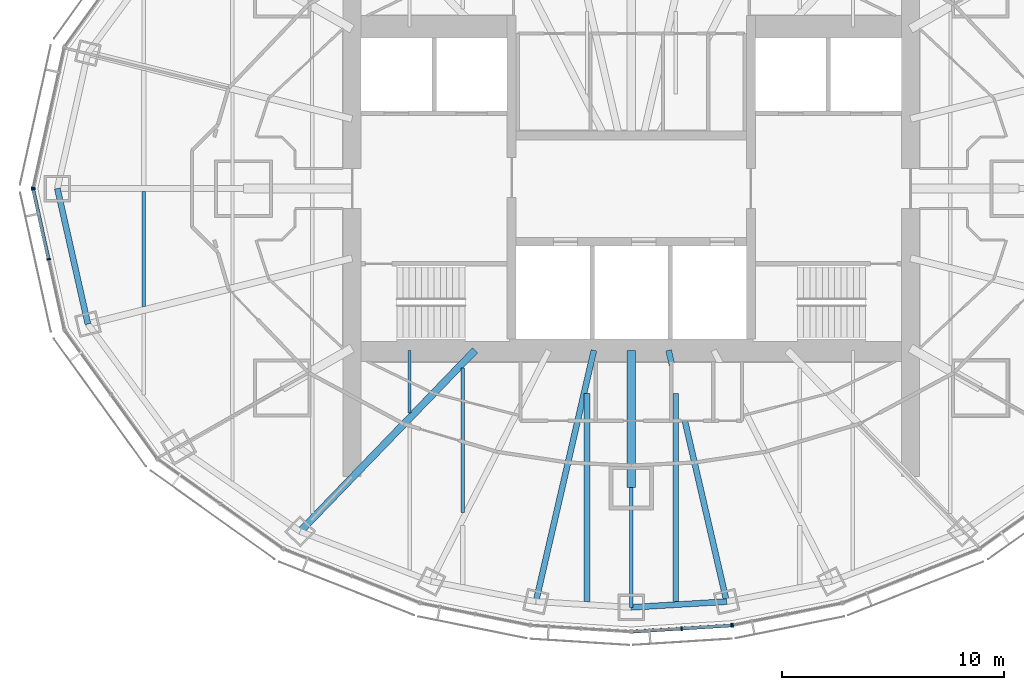
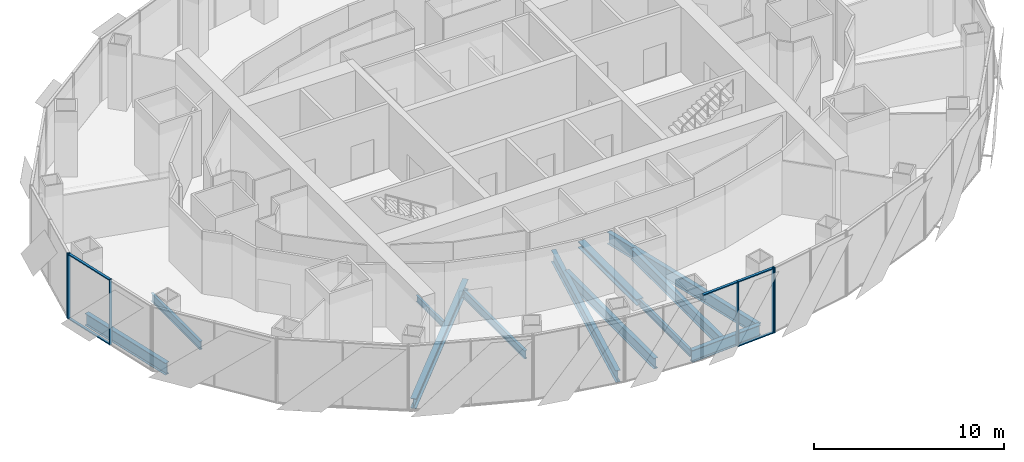
# One storey, part 3 of 17: 12 beams, 11 members, 4 elements without a shape of their own.
"""IFC4 building model written with IfcOpenShell, lengths in metres."""

from ifc_helpers import new_model, si_unit, direction, frame, origin, origin_2d, place, context, subcontext, project, spatial, rectangle, i_section, extrude, material, material_profile, profile_set, type_object, element, aggregate, save


model = new_model("IFC4")

# Units and contexts
model_context = context("Model", 3, precision=1e-05, world=origin(), true_north=direction((0.0, 1.0)))
body_context = subcontext(model_context, "Body", "Model", "MODEL_VIEW")
ifc_project = project(units=[si_unit("LENGTHUNIT", "METRE"), si_unit("AREAUNIT", "SQUARE_METRE"), si_unit("VOLUMEUNIT", "CUBIC_METRE"), si_unit("PLANEANGLEUNIT", "RADIAN"), si_unit("MASSUNIT", "GRAM", prefix="KILO")], contexts=[model_context])

# Site, building, storey
site_placement = place(None, origin())
site = spatial("IfcSite", under=ifc_project, at=site_placement, CompositionType="ELEMENT")
building_placement = place(site_placement, origin())
building = spatial("IfcBuilding", under=site, at=building_placement, Name="Lantaw Convention Tower", CompositionType="ELEMENT")
storey_placement = place(building_placement, frame((0.0, 0.0, 207.39990234375)))
storey = spatial("IfcBuildingStorey", under=building, at=storey_placement, Name="L48", CompositionType="ELEMENT", Elevation=207.39990234375)

# Beams
ifc_material_1 = material(Name="Steel ASTM A992", Category="steel")
ifc_material_profile_1 = material_profile(ifc_material_1, i_section(OverallWidth=0.2666015625, OverallDepth=0.76953125, WebThickness=0.015625, FlangeThickness=0.025390625, FilletRadius=0.0126953125, at=origin_2d()), Name="W30X132")
ifc_profile_set_1 = profile_set([ifc_material_profile_1], Name="Steel ASTM A992")
beam_type_1 = type_object("IfcBeamType", Name="Beam E W30X132", PredefinedType="SPANDREL", material=ifc_profile_set_1)
beam_1_placement = place(storey_placement, frame((-25.89990234375, 0.0, -0.53466796875), z_axis=(0.219857926596, -0.97553190215, 0.0), x_axis=(0.97553190215, 0.219857926596, 0.0)))
element("IfcBeam", 1, at=beam_1_placement, inside=storey, type_object=beam_type_1, Name="Edge beam 13", PredefinedType="SPANDREL", context=body_context, shape_type="SweptSolid", body=[
    extrude(i_section(OverallWidth=0.2666015625, OverallDepth=0.76953125, WebThickness=0.015625, FlangeThickness=0.025390625, FilletRadius=0.0126953125, at=origin_2d()), origin(), (0.0, 0.0, 1.0), 6.267333984375),
])
beam_2_placement = place(storey_placement, frame((0.0, -18.89990234375, -0.53466796875), z_axis=(0.998210730897, 0.059794119452, 0.0), x_axis=(-0.059794119452, 0.998210730897, 0.0)))
element("IfcBeam", 2, at=beam_2_placement, inside=storey, type_object=beam_type_1, Name="Edge beam 19", PredefinedType="SPANDREL", context=body_context, shape_type="SweptSolid", body=[
    extrude(i_section(OverallWidth=0.2666015625, OverallDepth=0.76953125, WebThickness=0.015625, FlangeThickness=0.025390625, FilletRadius=0.0126953125, at=origin_2d()), origin(), (0.0, 0.0, 1.0), 4.311767578125),
])
ifc_material_profile_2 = material_profile(ifc_material_1, i_section(OverallWidth=0.15234375, OverallDepth=0.449462890625, WebThickness=0.007568359375, FlangeThickness=0.0107421875, FilletRadius=0.01025390625, at=origin_2d()), Name="W18X35")
ifc_profile_set_2 = profile_set([ifc_material_profile_2], Name="Steel ASTM A992")
beam_type_2 = type_object("IfcBeamType", Name="Beam G W18X35", PredefinedType="BEAM", material=ifc_profile_set_2)
beam_3_placement = place(storey_placement, frame((0.0, -13.5, -0.374755859375), z_axis=(0.0, -1.0, 0.0), x_axis=(1.0, 0.0, 0.0)))
element("IfcBeam", 3, at=beam_3_placement, inside=storey, type_object=beam_type_2, Name="Floor girder on ray 19", PredefinedType="BEAM", context=body_context, shape_type="SweptSolid", body=[
    extrude(i_section(OverallWidth=0.15234375, OverallDepth=0.449462890625, WebThickness=0.007568359375, FlangeThickness=0.0107421875, FilletRadius=0.01025390625, at=origin_2d()), origin(), (0.0, 0.0, 1.0), 5.39990234375),
])
ifc_material_profile_3 = material_profile(ifc_material_1, i_section(OverallWidth=0.32763671875, OverallDepth=0.64013671875, WebThickness=0.01904296875, FlangeThickness=0.033935546875, FilletRadius=0.0126953125, at=origin_2d()), Name="W24X176")
ifc_profile_set_3 = profile_set([ifc_material_profile_3], Name="Steel ASTM A992")
beam_type_3 = type_object("IfcBeamType", Name="Beam G W24X176", PredefinedType="BEAM", material=ifc_profile_set_3)
beam_4_placement = place(storey_placement, frame((-7.049560546875, -7.300048828125, -0.469970703125), z_axis=(-0.694657766726, -0.719340383356, 0.0), x_axis=(0.719340383356, -0.694657766726, 0.0)))
element("IfcBeam", 4, at=beam_4_placement, inside=storey, type_object=beam_type_3, Name="Floor girder on ray 16", PredefinedType="BEAM", context=body_context, shape_type="SweptSolid", body=[
    extrude(i_section(OverallWidth=0.32763671875, OverallDepth=0.64013671875, WebThickness=0.01904296875, FlangeThickness=0.033935546875, FilletRadius=0.0126953125, at=origin_2d()), origin(), (0.0, 0.0, 1.0), 11.364990234375),
])
ifc_material_profile_4 = material_profile(ifc_material_1, i_section(OverallWidth=0.2666015625, OverallDepth=0.7568359375, WebThickness=0.013916015625, FlangeThickness=0.019287109375, FilletRadius=0.0126953125, at=origin_2d()), Name="W30X108")
ifc_profile_set_4 = profile_set([ifc_material_profile_4], Name="Steel ASTM A992")
beam_type_4 = type_object("IfcBeamType", Name="Beam G W30X108", PredefinedType="BEAM", material=ifc_profile_set_4)
for number, where, z_axis, x_axis, name in (
    (5, (-1.685302734375, -7.300048828125, -0.5283203125), (-0.224962134377, -0.974367506692, 0.0), (0.974367506692, -0.224962134377, 0.0), "Floor girder on ray 18"),
    (6, (1.685302734375, -7.300048828125, -0.5283203125), (0.224962134377, -0.974367506692, 0.0), (0.974367506692, 0.224962134377, 0.0), "Floor girder on ray 20"),
):
    element("IfcBeam", number, at=place(storey_placement, frame(where, z_axis=z_axis, x_axis=x_axis)), inside=storey, type_object=beam_type_4, Name=name, PredefinedType="BEAM", context=body_context, shape_type="SweptSolid", body=[
        extrude(i_section(OverallWidth=0.2666015625, OverallDepth=0.7568359375, WebThickness=0.013916015625, FlangeThickness=0.019287109375, FilletRadius=0.0126953125, at=origin_2d()), origin(), (0.0, 0.0, 1.0), 11.640380859375),
    ])
ifc_material_profile_5 = material_profile(ifc_material_1, i_section(OverallWidth=0.40380859375, OverallDepth=0.406494140625, WebThickness=0.027099609375, FlangeThickness=0.043701171875, FilletRadius=0.01513671875, at=origin_2d()), Name="W14X233")
ifc_profile_set_5 = profile_set([ifc_material_profile_5], Name="Steel ASTM A992")
beam_type_5 = type_object("IfcBeamType", Name="Beam GM W14X233", PredefinedType="BEAM", material=ifc_profile_set_5)
beam_5_placement = place(storey_placement, frame((0.0, -7.300048828125, -0.35302734375), z_axis=(0.0, -1.0, 0.0), x_axis=(1.0, 0.0, 0.0)))
element("IfcBeam", 7, at=beam_5_placement, inside=storey, type_object=beam_type_5, Name="Core link beam on ray 19", PredefinedType="BEAM", context=body_context, shape_type="SweptSolid", body=[
    extrude(i_section(OverallWidth=0.40380859375, OverallDepth=0.406494140625, WebThickness=0.027099609375, FlangeThickness=0.043701171875, FilletRadius=0.01513671875, at=origin_2d()), origin(), (0.0, 0.0, 1.0), 6.199951171875),
])
ifc_material_profile_6 = material_profile(ifc_material_1, i_section(OverallWidth=0.140380859375, OverallDepth=0.40380859375, WebThickness=0.007080078125, FlangeThickness=0.01123046875, FilletRadius=0.01025390625, at=origin_2d()), Name="W16X31")
ifc_profile_set_6 = profile_set([ifc_material_profile_6], Name="Steel ASTM A992")
beam_type_6 = type_object("IfcBeamType", Name="Beam J W16X31", PredefinedType="JOIST", material=ifc_profile_set_6)
beam_6_placement = place(storey_placement, frame((-10.0, -10.119384765625, -0.351806640625), z_axis=(0.0, 1.0, 0.0), x_axis=(-1.0, 0.0, 0.0)))
element("IfcBeam", 8, at=beam_6_placement, inside=storey, type_object=beam_type_6, Name="Floor joist", PredefinedType="JOIST", context=body_context, shape_type="SweptSolid", body=[
    extrude(i_section(OverallWidth=0.140380859375, OverallDepth=0.40380859375, WebThickness=0.007080078125, FlangeThickness=0.01123046875, FilletRadius=0.01025390625, at=origin_2d()), origin(), (0.0, 0.0, 1.0), 2.8193359375),
])
ifc_material_profile_7 = material_profile(ifc_material_1, i_section(OverallWidth=0.1650390625, OverallDepth=0.52587890625, WebThickness=0.0087890625, FlangeThickness=0.011474609375, FilletRadius=0.0126953125, at=origin_2d()), Name="W21X44")
ifc_profile_set_7 = profile_set([ifc_material_profile_7], Name="Steel ASTM A992")
beam_type_7 = type_object("IfcBeamType", Name="Beam J W21X44", PredefinedType="JOIST", material=ifc_profile_set_7)
beam_7_placement = place(storey_placement, frame((-22.0, -5.326904296875, -0.412841796875), z_axis=(0.0, 1.0, 0.0), x_axis=(-1.0, 0.0, 0.0)))
element("IfcBeam", 9, at=beam_7_placement, inside=storey, type_object=beam_type_7, Name="Floor joist", PredefinedType="JOIST", context=body_context, shape_type="SweptSolid", body=[
    extrude(i_section(OverallWidth=0.1650390625, OverallDepth=0.52587890625, WebThickness=0.0087890625, FlangeThickness=0.011474609375, FilletRadius=0.0126953125, at=origin_2d()), origin(), (0.0, 0.0, 1.0), 5.199951171875),
])
beam_8_placement = place(storey_placement, frame((-7.60009765625, -14.6220703125, -0.412841796875), z_axis=(0.0, 1.0, 0.0), x_axis=(-1.0, 0.0, 0.0)))
element("IfcBeam", 10, at=beam_8_placement, inside=storey, type_object=beam_type_7, Name="Floor joist", PredefinedType="JOIST", context=body_context, shape_type="SweptSolid", body=[
    extrude(i_section(OverallWidth=0.1650390625, OverallDepth=0.52587890625, WebThickness=0.0087890625, FlangeThickness=0.011474609375, FilletRadius=0.0126953125, at=origin_2d()), origin(), (0.0, 0.0, 1.0), 6.51611328125),
])
ifc_material_profile_8 = material_profile(ifc_material_1, i_section(OverallWidth=0.25390625, OverallDepth=0.683349609375, WebThickness=0.012451171875, FlangeThickness=0.01904296875, FilletRadius=0.01513671875, at=origin_2d()), Name="W27X94")
ifc_profile_set_8 = profile_set([ifc_material_profile_8], Name="Steel ASTM A992")
beam_type_8 = type_object("IfcBeamType", Name="Beam J W27X94", PredefinedType="JOIST", material=ifc_profile_set_8)
for number, where, z_axis, x_axis, name in (
    (11, (-2.0, -18.646484375, -0.491455078125), (0.0, 1.0, 0.0), (-1.0, 0.0, 0.0), "Floor joist"),
    (12, (2.0, -18.646484375, -0.491455078125), (0.0, 1.0, 0.0), (-1.0, 0.0, 0.0), "Floor joist"),
):
    element("IfcBeam", number, at=place(storey_placement, frame(where, z_axis=z_axis, x_axis=x_axis)), inside=storey, type_object=beam_type_8, Name=name, PredefinedType="JOIST", context=body_context, shape_type="SweptSolid", body=[
        extrude(i_section(OverallWidth=0.25390625, OverallDepth=0.683349609375, WebThickness=0.012451171875, FlangeThickness=0.01904296875, FilletRadius=0.01513671875, at=origin_2d()), origin(), (0.0, 0.0, 1.0), 9.390625),
    ])

# Curtain wall, member
ifc_material_2 = material(Name="Aluminium framed curtain wall", Category="aluminium")
curtain_wall_type = type_object("IfcCurtainWallType", Name="Office curtain wall high rise, pale aluminium", PredefinedType="USERDEFINED", material=ifc_material_2)
curtain_wall_1_placement = place(storey_placement, origin())
curtain_wall_1 = element("IfcCurtainWall", 13, at=curtain_wall_1_placement, inside=storey, type_object=curtain_wall_type, Name="Office curtain wall high rise, pale aluminium L48", ObjectType="UNITISED CURTAIN WALL", PredefinedType="USERDEFINED")
ifc_material_3 = material(Name="Aluminium 6063-T6", Category="aluminium")
ifc_material_profile_9 = material_profile(ifc_material_3, rectangle(XDim=0.179931640625, YDim=0.06494140625, at=origin_2d()), Name="CW-O2 mullion 65x180")
ifc_profile_set_9 = profile_set([ifc_material_profile_9], Name="Aluminium 6063-T6")
member_type_1 = type_object("IfcMemberType", Name="CW-O2 mullion 65x180", PredefinedType="MULLION", material=ifc_profile_set_9)
member_1_placement = place(storey_placement, frame((-26.992919921875, 0.03173828125, -0.14990234375), z_axis=(0.0, 0.0, 1.0), x_axis=(0.976417396437, -0.215891333626, 0.0)))
member_1 = element("IfcMember", 14, at=member_1_placement, type_object=member_type_1, Name="CW-O2 mullion 3", PredefinedType="MULLION", context=body_context, shape_type="SweptSolid", body=[
    extrude(rectangle(XDim=0.179931640625, YDim=0.06494140625, at=origin_2d()), origin(), (0.0, 0.0, 1.0), 4.199951171875),
])
aggregate(curtain_wall_1, [member_1])

# Curtain wall, members
curtain_wall_2_placement = place(storey_placement, origin())
curtain_wall_2 = element("IfcCurtainWall", 15, at=curtain_wall_2_placement, inside=storey, type_object=curtain_wall_type, Name="Office curtain wall high rise, pale aluminium L48", ObjectType="UNITISED CURTAIN WALL", PredefinedType="USERDEFINED")
member_2_placement = place(storey_placement, frame((-26.992919921875, -0.03173828125, -0.14990234375), z_axis=(0.0, 0.0, 1.0), x_axis=(0.976417396437, 0.215891333626, 0.0)))
member_2 = element("IfcMember", 16, at=member_2_placement, type_object=member_type_1, Name="CW-O2 mullion 1", PredefinedType="MULLION", context=body_context, shape_type="SweptSolid", body=[
    extrude(rectangle(XDim=0.179931640625, YDim=0.06494140625, at=origin_2d()), origin(), (0.0, 0.0, 1.0), 4.199951171875),
])
member_3_placement = place(storey_placement, frame((-26.294677734375, -3.190185546875, -0.14990234375), z_axis=(0.0, 0.0, 1.0), x_axis=(0.976417396437, 0.215891333626, 0.0)))
member_3 = element("IfcMember", 17, at=member_3_placement, type_object=member_type_1, Name="CW-O2 mullion 2", PredefinedType="MULLION", context=body_context, shape_type="SweptSolid", body=[
    extrude(rectangle(XDim=0.179931640625, YDim=0.06494140625, at=origin_2d()), origin(), (0.0, 0.0, 1.0), 4.199951171875),
])

curtain_wall_3_placement = place(storey_placement, origin())
curtain_wall_3 = element("IfcCurtainWall", 18, at=curtain_wall_3_placement, inside=storey, type_object=curtain_wall_type, Name="Office curtain wall high rise, pale aluminium L48", ObjectType="UNITISED CURTAIN WALL", PredefinedType="USERDEFINED")
member_4_placement = place(storey_placement, frame((2.275634765625, -19.85693359375, -0.14990234375), z_axis=(0.0, 0.0, 1.0), x_axis=(-0.062757983884, 0.998028774865, 0.0)))
member_4 = element("IfcMember", 19, at=member_4_placement, type_object=member_type_1, Name="CW-O2 mullion 2", PredefinedType="MULLION", context=body_context, shape_type="SweptSolid", body=[
    extrude(rectangle(XDim=0.179931640625, YDim=0.06494140625, at=origin_2d()), origin(), (0.0, 0.0, 1.0), 4.199951171875),
])
member_5_placement = place(storey_placement, frame((4.518798828125, -19.7158203125, -0.14990234375), z_axis=(0.0, 0.0, 1.0), x_axis=(-0.062757983884, 0.998028774865, 0.0)))
member_5 = element("IfcMember", 20, at=member_5_placement, type_object=member_type_1, Name="CW-O2 mullion 3", PredefinedType="MULLION", context=body_context, shape_type="SweptSolid", body=[
    extrude(rectangle(XDim=0.179931640625, YDim=0.06494140625, at=origin_2d()), origin(), (0.0, 0.0, 1.0), 4.199951171875),
])

# Curtain wall, member
curtain_wall_4_placement = place(storey_placement, origin())
curtain_wall_4 = element("IfcCurtainWall", 21, at=curtain_wall_4_placement, inside=storey, type_object=curtain_wall_type, Name="Office curtain wall high rise, pale aluminium L48", ObjectType="UNITISED CURTAIN WALL", PredefinedType="USERDEFINED")
member_6_placement = place(storey_placement, frame((4.583251953125, -19.70751953125, -0.14990234375), z_axis=(0.0, 0.0, 1.0), x_axis=(-0.197183095987, 0.980366679695, 0.0)))
member_6 = element("IfcMember", 22, at=member_6_placement, type_object=member_type_1, Name="CW-O2 mullion 1", PredefinedType="MULLION", context=body_context, shape_type="SweptSolid", body=[
    extrude(rectangle(XDim=0.179931640625, YDim=0.06494140625, at=origin_2d()), origin(), (0.0, 0.0, 1.0), 4.199951171875),
])
aggregate(curtain_wall_4, [member_6])

# Member
ifc_material_profile_10 = material_profile(ifc_material_3, rectangle(XDim=0.14990234375, YDim=0.06494140625, at=origin_2d()), Name="CW-O2 transom 65x150")
ifc_profile_set_10 = profile_set([ifc_material_profile_10], Name="Aluminium 6063-T6")
member_type_2 = type_object("IfcMemberType", Name="CW-O2 transom 65x150", PredefinedType="USERDEFINED", material=ifc_profile_set_10)
member_7_placement = place(storey_placement, frame((-26.986083984375, -0.0634765625, -0.117431640625), z_axis=(0.215894607042, -0.976416672661, 0.0), x_axis=(0.976416672661, 0.215894607042, 0.0)))
member_7 = element("IfcMember", 23, at=member_7_placement, type_object=member_type_2, Name="CW-O2 transom 1.1", ObjectType="TRANSOM", PredefinedType="USERDEFINED", context=body_context, shape_type="SweptSolid", body=[
    extrude(rectangle(XDim=0.14990234375, YDim=0.06494140625, at=origin_2d()), origin(), (0.0, 0.0, 1.0), 3.169677734375),
])

member_8_placement = place(storey_placement, frame((-26.986083984375, -0.0634765625, 4.017578125), z_axis=(0.215894607042, -0.976416672661, 0.0), x_axis=(0.976416672661, 0.215894607042, 0.0)))
member_8 = element("IfcMember", 24, at=member_8_placement, type_object=member_type_2, Name="CW-O2 transom 1.2", ObjectType="TRANSOM", PredefinedType="USERDEFINED", context=body_context, shape_type="SweptSolid", body=[
    extrude(rectangle(XDim=0.14990234375, YDim=0.06494140625, at=origin_2d()), origin(), (0.0, 0.0, 1.0), 3.169677734375),
])

aggregate(curtain_wall_2, [member_2, member_3, member_7, member_8])

member_9_placement = place(storey_placement, frame((0.06494140625, -19.995849609375, 4.017578125), z_axis=(0.998029003644, 0.062754345555, 0.0), x_axis=(-0.062754345555, 0.998029003644, 0.0)))
member_9 = element("IfcMember", 25, at=member_9_placement, type_object=member_type_2, Name="CW-O2 transom 1.2", ObjectType="TRANSOM", PredefinedType="USERDEFINED", context=body_context, shape_type="SweptSolid", body=[
    extrude(rectangle(XDim=0.14990234375, YDim=0.06494140625, at=origin_2d()), origin(), (0.0, 0.0, 1.0), 2.1826171875),
])

member_10_placement = place(storey_placement, frame((2.30810546875, -19.85498046875, -0.117431640625), z_axis=(0.998021991509, 0.062865765437, 0.0), x_axis=(-0.062865765437, 0.998021991509, 0.0)))
member_10 = element("IfcMember", 26, at=member_10_placement, type_object=member_type_2, Name="CW-O2 transom 2.1", ObjectType="TRANSOM", PredefinedType="USERDEFINED", context=body_context, shape_type="SweptSolid", body=[
    extrude(rectangle(XDim=0.14990234375, YDim=0.06494140625, at=origin_2d()), origin(), (0.0, 0.0, 1.0), 2.1826171875),
])

member_11_placement = place(storey_placement, frame((2.30810546875, -19.85498046875, 4.017578125), z_axis=(0.998021991509, 0.062865765437, 0.0), x_axis=(-0.062865765437, 0.998021991509, 0.0)))
member_11 = element("IfcMember", 27, at=member_11_placement, type_object=member_type_2, Name="CW-O2 transom 2.2", ObjectType="TRANSOM", PredefinedType="USERDEFINED", context=body_context, shape_type="SweptSolid", body=[
    extrude(rectangle(XDim=0.14990234375, YDim=0.06494140625, at=origin_2d()), origin(), (0.0, 0.0, 1.0), 2.1826171875),
])

aggregate(curtain_wall_3, [member_4, member_5, member_9, member_10, member_11])

save(model, "model.ifc")
